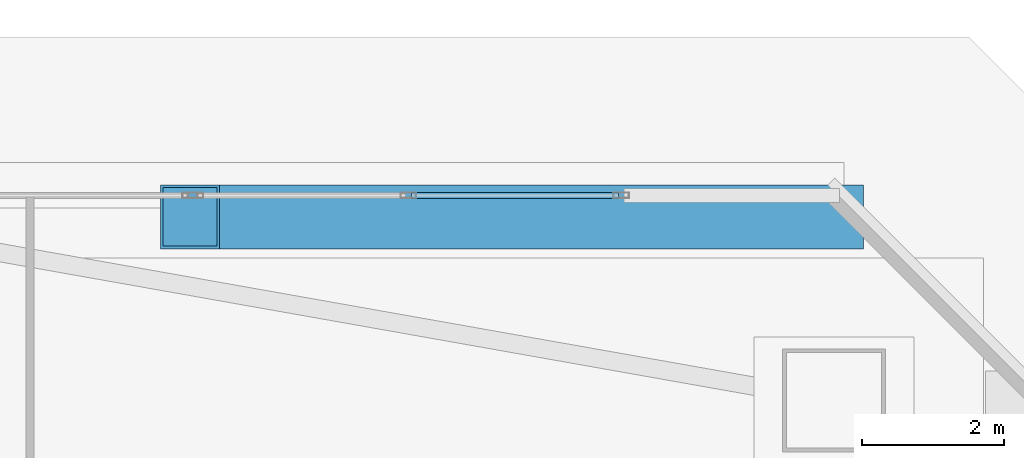
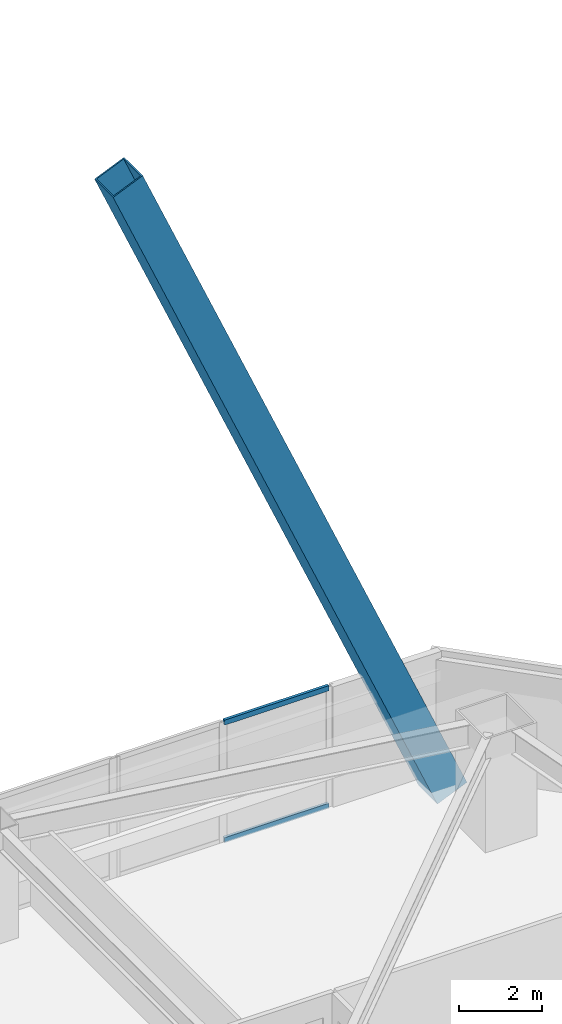
# One storey, part 29 of 67: 3 members, 1 element without a shape of its own.
"""IFC4 building model written with IfcOpenShell, lengths in metres."""

from ifc_helpers import new_model, si_unit, direction, frame, origin, origin_2d, place, context, subcontext, project, spatial, hollow_rectangle, extrude, material, material_profile, profile_set, type_object, element, aggregate, save


model = new_model("IFC4")

# Units and contexts
model_context = context("Model", 3, precision=1e-05, world=origin(), true_north=direction((0.0, 1.0)))
body_context = subcontext(model_context, "Body", "Model", "MODEL_VIEW")
ifc_project = project(units=[si_unit("LENGTHUNIT", "METRE"), si_unit("AREAUNIT", "SQUARE_METRE"), si_unit("VOLUMEUNIT", "CUBIC_METRE"), si_unit("PLANEANGLEUNIT", "RADIAN"), si_unit("MASSUNIT", "GRAM", prefix="KILO")], contexts=[model_context])

# Site, building, storey
site_placement = place(None, origin())
site = spatial("IfcSite", under=ifc_project, at=site_placement, CompositionType="ELEMENT")
building_placement = place(site_placement, origin())
building = spatial("IfcBuilding", under=site, at=building_placement, Name="Tashvorn Skyway Center", CompositionType="ELEMENT")
storey_placement = place(building_placement, frame((0.0, 0.0, 67.199951171875)))
storey = spatial("IfcBuildingStorey", under=building, at=storey_placement, Name="L17", CompositionType="ELEMENT", Elevation=67.199951171875)

# Curtain wall, members
ifc_material_1 = material(Name="Thermally broken bronze-anodized aluminium 6063-T6", Category="aluminium")
curtain_wall_type = type_object("IfcCurtainWallType", Name="CW-CW-Z2", PredefinedType="NOTDEFINED", material=ifc_material_1)
curtain_wall_placement = place(storey_placement, origin())
curtain_wall = element("IfcCurtainWall", 1, at=curtain_wall_placement, inside=storey, type_object=curtain_wall_type, Name="Tower 1 L17 North Unitised Curtain Wall Glazing Group 3", PredefinedType="NOTDEFINED")
ifc_material_profile_1 = material_profile(ifc_material_1, hollow_rectangle(XDim=0.080078125, YDim=0.14990234375, WallThickness=0.00439453125, at=origin_2d()), Name="ALU-TRAN-80x150")
ifc_profile_set_1 = profile_set([ifc_material_profile_1], Name="Thermally broken bronze-anodized aluminium 6063-T6")
member_type_1 = type_object("IfcMemberType", Name="CWT-CW-Z2", PredefinedType="USERDEFINED", material=ifc_profile_set_1)
member_1_placement = place(storey_placement, frame((54.159912109375, 52.97998046875, 0.0400390625), z_axis=(1.0, 0.0, 0.0), x_axis=(0.0, 1.0, 0.0)))
member_1 = element("IfcMember", 2, at=member_1_placement, type_object=member_type_1, Name="CW-Z2 transom 2.1", ObjectType="TRANSOM", PredefinedType="USERDEFINED", context=body_context, shape_type="SweptSolid", body=[
    extrude(hollow_rectangle(XDim=0.080078125, YDim=0.14990234375, WallThickness=0.00439453125, at=origin_2d()), origin(), (0.0, 0.0, 1.0), 2.91015625),
])
member_2_placement = place(storey_placement, frame((54.159912109375, 52.97998046875, 3.510009765625), z_axis=(1.0, 0.0, 0.0), x_axis=(0.0, 1.0, 0.0)))
member_2 = element("IfcMember", 3, at=member_2_placement, type_object=member_type_1, Name="CW-Z2 transom 2.2", ObjectType="TRANSOM", PredefinedType="USERDEFINED", context=body_context, shape_type="SweptSolid", body=[
    extrude(hollow_rectangle(XDim=0.080078125, YDim=0.14990234375, WallThickness=0.00439453125, at=origin_2d()), origin(), (0.0, 0.0, 1.0), 2.91015625),
])
aggregate(curtain_wall, [member_1, member_2])

# Member
ifc_material_2 = material(Name="Steel ASTM A572 Grade 50", Category="steel")
ifc_material_profile_2 = material_profile(ifc_material_2, hollow_rectangle(XDim=0.89990234375, YDim=0.89990234375, WallThickness=0.0400390625, at=origin_2d()), Name="BOX900x900x40")
ifc_profile_set_2 = profile_set([ifc_material_profile_2], Name="Steel ASTM A572 Grade 50")
member_type_2 = type_object("IfcMemberType", Name="MEM-MB-900", PredefinedType="BRACE", material=ifc_profile_set_2)
member_3_placement = place(storey_placement, frame((60.10009765625, 52.679931640625, -0.219970703125), z_axis=(-0.394656720236, 0.0, 0.918828641898), x_axis=(0.0, -1.0, 0.0)))
element("IfcMember", 4, at=member_3_placement, inside=storey, type_object=member_type_2, Name="Tower 1 Zone 2 N Chevron Mega-Brace L1", PredefinedType="BRACE", context=body_context, shape_type="SweptSolid", body=[
    extrude(hollow_rectangle(XDim=0.89990234375, YDim=0.89990234375, WallThickness=0.0400390625, at=origin_2d()), origin(), (0.0, 0.0, 1.0), 22.931396484375),
])

save(model, "model.ifc")
